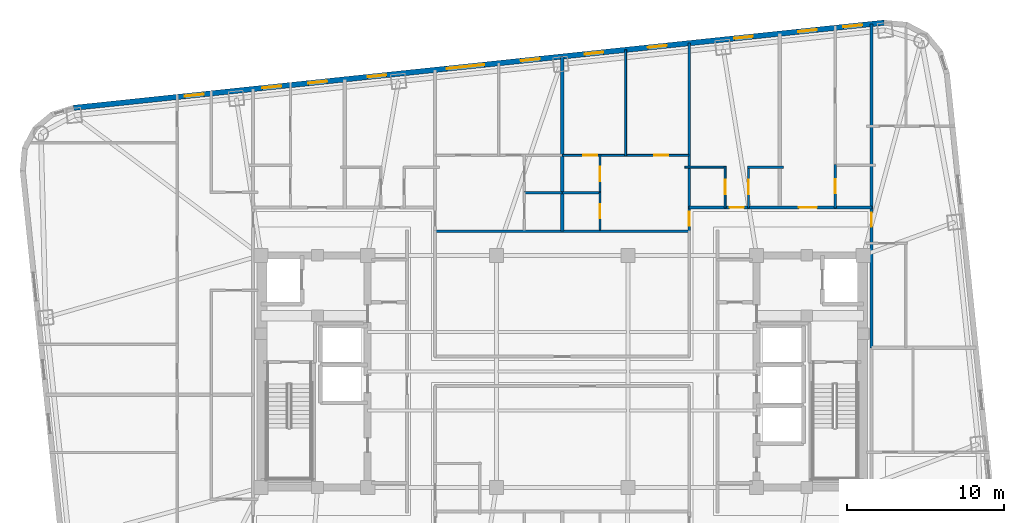
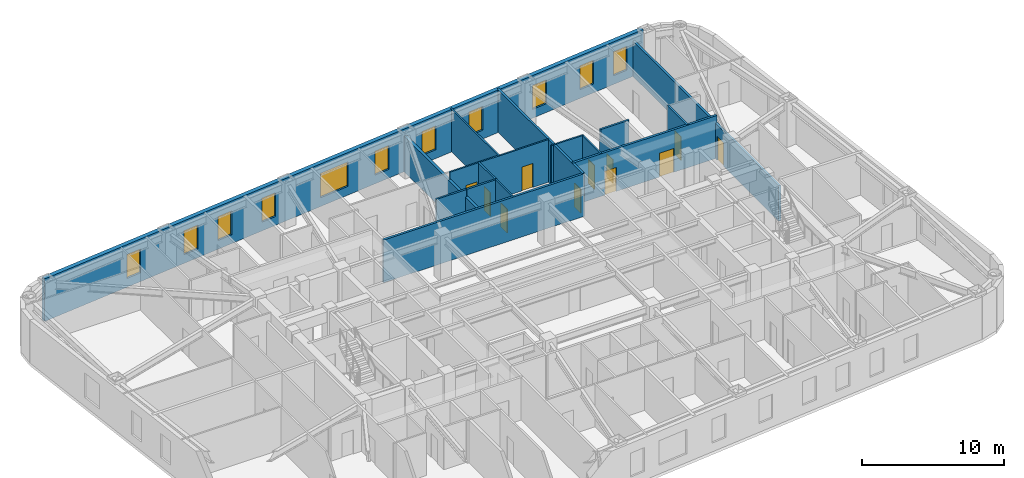
# One storey, part 8 of 12: 17 walls, 11 doors, 11 windows, 22 openings.
"""IFC4 building model written with IfcOpenShell, lengths in metres."""

from ifc_helpers import new_model, si_unit, direction, frame, frame_2d, origin, place, context, subcontext, project, spatial, rectangle, extrude, material, layer, layer_set, type_object, element, fill, save


model = new_model("IFC4")

# Units and contexts
model_context = context("Model", 3, precision=1e-05, world=origin(), true_north=direction((0.0, 1.0)))
body_context = subcontext(model_context, "Body", "Model", "MODEL_VIEW")
ifc_project = project(units=[si_unit("LENGTHUNIT", "METRE"), si_unit("AREAUNIT", "SQUARE_METRE"), si_unit("VOLUMEUNIT", "CUBIC_METRE"), si_unit("PLANEANGLEUNIT", "RADIAN"), si_unit("MASSUNIT", "GRAM", prefix="KILO")], contexts=[model_context])

# Site, building, storey
site_placement = place(None, origin())
site = spatial("IfcSite", under=ifc_project, at=site_placement, CompositionType="ELEMENT")
building_placement = place(site_placement, origin())
building = spatial("IfcBuilding", under=site, at=building_placement, Name="Voryun Gate Residences", CompositionType="ELEMENT")
storey_placement = place(building_placement, frame((0.0, 0.0, 159.89990234375)))
storey = spatial("IfcBuildingStorey", under=building, at=storey_placement, Name="L39", CompositionType="ELEMENT", Elevation=159.89990234375)

# Wall
ifc_material_1 = material(Name="Gypsum acoustic fireboard")
ifc_layer_1 = layer(ifc_material_1, 0.179931640625, Name="W_CORR_RATED_180")
ifc_layer_set_1 = layer_set([ifc_layer_1], Name="Gypsum acoustic fireboard")
wall_type_1 = type_object("IfcWallType", Name="W_CORR_RATED_180", PredefinedType="PARTITIONING", material=ifc_layer_set_1)
wall_1_placement = place(storey_placement, frame((-8.14990234375, 8.93994140625, 0.0), z_axis=(0.0, 0.0, 1.0), x_axis=(1.0, 0.0, 0.0)))
element("IfcWall", 1, at=wall_1_placement, inside=storey, type_object=wall_type_1, Name="Partition wall WP-L39-Z2N", PredefinedType="PARTITIONING", context=body_context, shape_type="SweptSolid", body=[
    extrude(rectangle(XDim=16.2998046875, YDim=0.179931640625, at=frame_2d((8.14990234375, 0.0))), origin(), (0.0, 0.0, 1.0), 3.650146484375),
])

# Wall, openings, doors
wall_2_placement = place(storey_placement, frame((8.080078125, 10.449951171875, 0.0), z_axis=(0.0, 0.0, 1.0), x_axis=(1.0, 0.0, 0.0)))
wall_2 = element("IfcWall", 2, at=wall_2_placement, inside=storey, type_object=wall_type_1, Name="Partition wall WP-L39-NCORR-E", PredefinedType="PARTITIONING", context=body_context, shape_type="SweptSolid", body=[
    extrude(rectangle(XDim=11.669921875, YDim=0.179931640625, at=frame_2d((5.8349609375, 0.0))), origin(), (0.0, 0.0, 1.0), 3.650146484375),
])
opening_1_placement = place(wall_2_placement, frame((2.60400390625, 0.0, 0.0)))
opening_1 = element("IfcOpeningElement", 3, at=opening_1_placement, cuts=wall_2, Name="Opening D-INT-2", PredefinedType="OPENING", context=body_context, shape_type="SweptSolid", body=[
    extrude(rectangle(XDim=0.89990234375, YDim=2.050048828125, at=frame_2d((0.449951171875, 1.02490234375))), frame((0.0, 0.099853515625, 0.0), z_axis=(0.0, -1.0, 0.0), x_axis=(1.0, 0.0, 0.0)), (0.0, 0.0, 1.0), 0.199951171875),
])
opening_2_placement = place(wall_2_placement, frame((7.016357421875, 0.0, 0.0)))
opening_2 = element("IfcOpeningElement", 4, at=opening_2_placement, cuts=wall_2, Name="Opening D-UNIT-1", PredefinedType="OPENING", context=body_context, shape_type="SweptSolid", body=[
    extrude(rectangle(XDim=1.14990234375, YDim=2.050048828125, at=frame_2d((0.574951171875, 1.02490234375))), frame((0.0, 0.099853515625, 0.0), z_axis=(0.0, -1.0, 0.0), x_axis=(1.0, 0.0, 0.0)), (0.0, 0.0, 1.0), 0.199951171875),
])
ifc_material_2 = material(Name="Architectural oak veneer")
door_type_1 = type_object("IfcDoorType", Name="DR_INT_BATH_900", OperationType="NOTDEFINED", PredefinedType="DOOR", material=ifc_material_2)
door_1_placement = place(opening_1_placement, origin())
door_1 = element("IfcDoor", 5, at=door_1_placement, inside=storey, type_object=door_type_1, Name="Door DR-L39-NENT-4", OperationType="SINGLE_SWING_RIGHT", OverallHeight=2.050048828125, OverallWidth=0.89990234375, PredefinedType="DOOR", context=body_context, shape_type="SweptSolid", body=[
    extrude(rectangle(XDim=0.89990234375, YDim=2.050048828125, at=frame_2d((0.449951171875, 1.02490234375))), frame((0.0, 0.02490234375, 0.0), z_axis=(0.0, -1.0, 0.0), x_axis=(1.0, 0.0, 0.0)), (0.0, 0.0, 1.0), 0.050048828125),
])
fill(opening_1, door_1)
ifc_material_3 = material(Name="Armoured timber-clad fire door", Category="wood")
door_type_2 = type_object("IfcDoorType", Name="DR_UNIT_ENTRY_1150", OperationType="NOTDEFINED", PredefinedType="DOOR", material=ifc_material_3)
door_2_placement = place(opening_2_placement, origin())
door_2 = element("IfcDoor", 6, at=door_2_placement, inside=storey, type_object=door_type_2, Name="Door DR-L39-NENT-5", OperationType="SINGLE_SWING_LEFT", OverallHeight=2.050048828125, OverallWidth=1.14990234375, PredefinedType="DOOR", context=body_context, shape_type="SweptSolid", body=[
    extrude(rectangle(XDim=1.14990234375, YDim=2.050048828125, at=frame_2d((0.574951171875, 1.02490234375))), frame((0.0, 0.02490234375, 0.0), z_axis=(0.0, -1.0, 0.0), x_axis=(1.0, 0.0, 0.0)), (0.0, 0.0, 1.0), 0.050048828125),
])
fill(opening_2, door_2)

# Wall, opening, door
wall_3_placement = place(storey_placement, frame((8.10009765625, 8.93994140625, 0.0), z_axis=(0.0, 0.0, 1.0), x_axis=(0.0, 1.0, 0.0)))
wall_3 = element("IfcWall", 7, at=wall_3_placement, inside=storey, type_object=wall_type_1, Name="Partition wall WP-L39-NZV-2", PredefinedType="PARTITIONING", context=body_context, shape_type="SweptSolid", body=[
    extrude(rectangle(XDim=11.9892578125, YDim=0.179931640625, at=frame_2d((5.99462890625, 0.0))), origin(), (0.0, 0.0, 1.0), 3.650146484375),
])
opening_3_placement = place(wall_3_placement, frame((0.349609375, 0.0, 0.0)))
opening_3 = element("IfcOpeningElement", 8, at=opening_3_placement, cuts=wall_3, Name="Opening D-INT-2", PredefinedType="OPENING", context=body_context, shape_type="SweptSolid", body=[
    extrude(rectangle(XDim=0.89990234375, YDim=2.050048828125, at=frame_2d((0.449951171875, 1.02490234375))), frame((0.0, 0.099853515625, 0.0), z_axis=(0.0, -1.0, 0.0), x_axis=(1.0, 0.0, 0.0)), (0.0, 0.0, 1.0), 0.199951171875),
])
door_3_placement = place(opening_3_placement, origin())
door_3 = element("IfcDoor", 9, at=door_3_placement, inside=storey, type_object=door_type_1, Name="Door DR-L39-NZENT-2", OperationType="SINGLE_SWING_RIGHT", OverallHeight=2.050048828125, OverallWidth=0.89990234375, PredefinedType="DOOR", context=body_context, shape_type="SweptSolid", body=[
    extrude(rectangle(XDim=0.89990234375, YDim=2.050048828125, at=frame_2d((0.449951171875, 1.02490234375))), frame((0.0, 0.02490234375, 0.0), z_axis=(0.0, -1.0, 0.0), x_axis=(1.0, 0.0, 0.0)), (0.0, 0.0, 1.0), 0.050048828125),
])
fill(opening_3, door_3)

wall_4_placement = place(storey_placement, frame((19.719970703125, 1.5, 0.0), z_axis=(0.0, 0.0, 1.0), x_axis=(0.0, 1.0, 0.0)))
wall_4 = element("IfcWall", 10, at=wall_4_placement, inside=storey, type_object=wall_type_1, Name="Partition wall WP-L39-ECOR2", PredefinedType="PARTITIONING", context=body_context, shape_type="SweptSolid", body=[
    extrude(rectangle(XDim=20.650390625, YDim=0.179931640625, at=frame_2d((10.3251953125, 0.0))), origin(), (0.0, 0.0, 1.0), 3.0400390625),
])
opening_4_placement = place(wall_4_placement, frame((7.7294921875, 0.0, 0.0)))
opening_4 = element("IfcOpeningElement", 11, at=opening_4_placement, cuts=wall_4, Name="Opening D-INT-2", PredefinedType="OPENING", context=body_context, shape_type="SweptSolid", body=[
    extrude(rectangle(XDim=0.89990234375, YDim=2.050048828125, at=frame_2d((0.449951171875, 1.02490234375))), frame((0.0, 0.099853515625, 0.0), z_axis=(0.0, -1.0, 0.0), x_axis=(1.0, 0.0, 0.0)), (0.0, 0.0, 1.0), 0.199951171875),
])
door_4_placement = place(opening_4_placement, origin())
door_4 = element("IfcDoor", 12, at=door_4_placement, inside=storey, type_object=door_type_1, Name="Door DR-L39-EE2", OperationType="SINGLE_SWING_RIGHT", OverallHeight=2.050048828125, OverallWidth=0.89990234375, PredefinedType="DOOR", context=body_context, shape_type="SweptSolid", body=[
    extrude(rectangle(XDim=0.89990234375, YDim=2.050048828125, at=frame_2d((0.449951171875, 1.02490234375))), frame((0.0, 0.02490234375, 0.0), z_axis=(0.0, -1.0, 0.0), x_axis=(1.0, 0.0, 0.0)), (0.0, 0.0, 1.0), 0.050048828125),
])
fill(opening_4, door_4)

# Wall, openings, windows
ifc_material_4 = material(Name="Charcoal terracotta masonry", Category="masonry")
ifc_layer_2 = layer(ifc_material_4, 0.340087890625, Name="W_EXT_TERRACOTTA_340")
ifc_layer_set_2 = layer_set([ifc_layer_2], Name="Charcoal terracotta masonry")
wall_type_2 = type_object("IfcWallType", Name="W_EXT_TERRACOTTA_340", PredefinedType="ELEMENTEDWALL", material=ifc_layer_set_2)
wall_5_placement = place(storey_placement, frame((-31.155517578125, 16.80322265625, 0.0), z_axis=(0.0, 0.0, 1.0), x_axis=(0.99452209583, 0.104526555986, 0.0)))
wall_5 = element("IfcWall", 13, at=wall_5_placement, inside=storey, type_object=wall_type_2, Name="Exterior wall WEXT-L39-11", PredefinedType="ELEMENTEDWALL", context=body_context, shape_type="SweptSolid", body=[
    extrude(rectangle(XDim=51.966552734375, YDim=0.340087890625, at=frame_2d((25.9833984375, 0.0))), origin(), (0.0, 0.0, 1.0), 3.650146484375),
])
opening_5_placement = place(wall_5_placement, frame((23.93310546875, 0.0, 0.75)))
opening_5 = element("IfcOpeningElement", 14, at=opening_5_placement, cuts=wall_5, Name="Opening WN2", PredefinedType="OPENING", context=body_context, shape_type="SweptSolid", body=[
    extrude(rectangle(XDim=2.39990234375, YDim=2.10009765625, at=frame_2d((1.199951171875, 1.050048828125))), frame((0.0, 0.179931640625, 0.0), z_axis=(0.0, -1.0, 0.0), x_axis=(1.0, 0.0, 0.0)), (0.0, 0.0, 1.0), 0.360107421875),
])
opening_6_placement = place(wall_5_placement, frame((15.04638671875, 0.0, 0.75)))
opening_6 = element("IfcOpeningElement", 15, at=opening_6_placement, cuts=wall_5, Name="Opening WN6", PredefinedType="OPENING", context=body_context, shape_type="SweptSolid", body=[
    extrude(rectangle(XDim=1.199951171875, YDim=2.050048828125, at=frame_2d((0.60009765625, 1.02490234375))), frame((0.0, 0.179931640625, 0.0), z_axis=(0.0, -1.0, 0.0), x_axis=(1.0, 0.0, 0.0)), (0.0, 0.0, 1.0), 0.360107421875),
])
opening_7_placement = place(wall_5_placement, frame((12.10791015625, 0.0, 0.75)))
opening_7 = element("IfcOpeningElement", 16, at=opening_7_placement, cuts=wall_5, Name="Opening WN6", PredefinedType="OPENING", context=body_context, shape_type="SweptSolid", body=[
    extrude(rectangle(XDim=1.199951171875, YDim=2.050048828125, at=frame_2d((0.60009765625, 1.02490234375))), frame((0.0, 0.179931640625, 0.0), z_axis=(0.0, -1.0, 0.0), x_axis=(1.0, 0.0, 0.0)), (0.0, 0.0, 1.0), 0.360107421875),
])
opening_8_placement = place(wall_5_placement, frame((18.851806640625, 0.0, 0.75)))
opening_8 = element("IfcOpeningElement", 17, at=opening_8_placement, cuts=wall_5, Name="Opening WN6", PredefinedType="OPENING", context=body_context, shape_type="SweptSolid", body=[
    extrude(rectangle(XDim=1.199951171875, YDim=2.050048828125, at=frame_2d((0.60009765625, 1.02490234375))), frame((0.0, 0.179931640625, 0.0), z_axis=(0.0, -1.0, 0.0), x_axis=(1.0, 0.0, 0.0)), (0.0, 0.0, 1.0), 0.360107421875),
])
opening_9_placement = place(wall_5_placement, frame((42.35791015625, 0.0, 0.75)))
opening_9 = element("IfcOpeningElement", 18, at=opening_9_placement, cuts=wall_5, Name="Opening WN6", PredefinedType="OPENING", context=body_context, shape_type="SweptSolid", body=[
    extrude(rectangle(XDim=1.199951171875, YDim=2.050048828125, at=frame_2d((0.60009765625, 1.02490234375))), frame((0.0, 0.179931640625, 0.0), z_axis=(0.0, -1.0, 0.0), x_axis=(1.0, 0.0, 0.0)), (0.0, 0.0, 1.0), 0.360107421875),
])
opening_10_placement = place(wall_5_placement, frame((46.451904296875, 0.0, 0.75)))
opening_10 = element("IfcOpeningElement", 19, at=opening_10_placement, cuts=wall_5, Name="Opening WN6", PredefinedType="OPENING", context=body_context, shape_type="SweptSolid", body=[
    extrude(rectangle(XDim=1.199951171875, YDim=2.050048828125, at=frame_2d((0.60009765625, 1.02490234375))), frame((0.0, 0.179931640625, 0.0), z_axis=(0.0, -1.0, 0.0), x_axis=(1.0, 0.0, 0.0)), (0.0, 0.0, 1.0), 0.360107421875),
])
opening_11_placement = place(wall_5_placement, frame((49.355712890625, 0.0, 0.75)))
opening_11 = element("IfcOpeningElement", 20, at=opening_11_placement, cuts=wall_5, Name="Opening WN6", PredefinedType="OPENING", context=body_context, shape_type="SweptSolid", body=[
    extrude(rectangle(XDim=1.199951171875, YDim=2.050048828125, at=frame_2d((0.60009765625, 1.02490234375))), frame((0.0, 0.179931640625, 0.0), z_axis=(0.0, -1.0, 0.0), x_axis=(1.0, 0.0, 0.0)), (0.0, 0.0, 1.0), 0.360107421875),
])
opening_12_placement = place(wall_5_placement, frame((28.68359375, 0.0, 0.75)))
opening_12 = element("IfcOpeningElement", 21, at=opening_12_placement, cuts=wall_5, Name="Opening WN6", PredefinedType="OPENING", context=body_context, shape_type="SweptSolid", body=[
    extrude(rectangle(XDim=1.199951171875, YDim=2.050048828125, at=frame_2d((0.60009765625, 1.02490234375))), frame((0.0, 0.179931640625, 0.0), z_axis=(0.0, -1.0, 0.0), x_axis=(1.0, 0.0, 0.0)), (0.0, 0.0, 1.0), 0.360107421875),
])
opening_13_placement = place(wall_5_placement, frame((32.76611328125, 0.0, 0.75)))
opening_13 = element("IfcOpeningElement", 22, at=opening_13_placement, cuts=wall_5, Name="Opening WN6", PredefinedType="OPENING", context=body_context, shape_type="SweptSolid", body=[
    extrude(rectangle(XDim=1.199951171875, YDim=2.050048828125, at=frame_2d((0.60009765625, 1.02490234375))), frame((0.0, 0.179931640625, 0.0), z_axis=(0.0, -1.0, 0.0), x_axis=(1.0, 0.0, 0.0)), (0.0, 0.0, 1.0), 0.360107421875),
])
opening_14_placement = place(wall_5_placement, frame((36.828369140625, 0.0, 0.75)))
opening_14 = element("IfcOpeningElement", 23, at=opening_14_placement, cuts=wall_5, Name="Opening WN6", PredefinedType="OPENING", context=body_context, shape_type="SweptSolid", body=[
    extrude(rectangle(XDim=1.199951171875, YDim=2.050048828125, at=frame_2d((0.60009765625, 1.02490234375))), frame((0.0, 0.179931640625, 0.0), z_axis=(0.0, -1.0, 0.0), x_axis=(1.0, 0.0, 0.0)), (0.0, 0.0, 1.0), 0.360107421875),
])
opening_15_placement = place(wall_5_placement, frame((7.135498046875, 0.0, 0.75)))
opening_15 = element("IfcOpeningElement", 24, at=opening_15_placement, cuts=wall_5, Name="Opening WN6", PredefinedType="OPENING", context=body_context, shape_type="SweptSolid", body=[
    extrude(rectangle(XDim=1.199951171875, YDim=2.050048828125, at=frame_2d((0.60009765625, 1.02490234375))), frame((0.0, 0.179931640625, 0.0), z_axis=(0.0, -1.0, 0.0), x_axis=(1.0, 0.0, 0.0)), (0.0, 0.0, 1.0), 0.360107421875),
])
ifc_material_5 = material(Name="Laminated low-E glass", Category="glass")
window_type_1 = type_object("IfcWindowType", Name="WN_POD_SLOT_1200", PartitioningType="SINGLE_PANEL", PredefinedType="WINDOW", material=ifc_material_5)
window_1_placement = place(opening_6_placement, origin())
window_1 = element("IfcWindow", 25, at=window_1_placement, inside=storey, type_object=window_type_1, Name="Window WN-L39-DWFIX-01", OverallHeight=2.050048828125, OverallWidth=1.199951171875, PartitioningType="SINGLE_PANEL", PredefinedType="WINDOW", context=body_context, shape_type="SweptSolid", body=[
    extrude(rectangle(XDim=1.199951171875, YDim=2.050048828125, at=frame_2d((0.60009765625, 1.02490234375))), frame((0.0, 0.030029296875, 0.0), z_axis=(0.0, -1.0, 0.0), x_axis=(1.0, 0.0, 0.0)), (0.0, 0.0, 1.0), 0.06005859375),
])
fill(opening_6, window_1)
window_2_placement = place(opening_7_placement, origin())
window_2 = element("IfcWindow", 26, at=window_2_placement, inside=storey, type_object=window_type_1, Name="Window WN-L39-DWFIX-02", OverallHeight=2.050048828125, OverallWidth=1.199951171875, PartitioningType="SINGLE_PANEL", PredefinedType="WINDOW", context=body_context, shape_type="SweptSolid", body=[
    extrude(rectangle(XDim=1.199951171875, YDim=2.050048828125, at=frame_2d((0.60009765625, 1.02490234375))), frame((0.0, 0.030029296875, 0.0), z_axis=(0.0, -1.0, 0.0), x_axis=(1.0, 0.0, 0.0)), (0.0, 0.0, 1.0), 0.06005859375),
])
fill(opening_7, window_2)
window_3_placement = place(opening_8_placement, origin())
window_3 = element("IfcWindow", 27, at=window_3_placement, inside=storey, type_object=window_type_1, Name="Window WN-L39-DWFIX-03", OverallHeight=2.050048828125, OverallWidth=1.199951171875, PartitioningType="SINGLE_PANEL", PredefinedType="WINDOW", context=body_context, shape_type="SweptSolid", body=[
    extrude(rectangle(XDim=1.199951171875, YDim=2.050048828125, at=frame_2d((0.60009765625, 1.02490234375))), frame((0.0, 0.030029296875, 0.0), z_axis=(0.0, -1.0, 0.0), x_axis=(1.0, 0.0, 0.0)), (0.0, 0.0, 1.0), 0.06005859375),
])
fill(opening_8, window_3)
window_4_placement = place(opening_9_placement, origin())
window_4 = element("IfcWindow", 28, at=window_4_placement, inside=storey, type_object=window_type_1, Name="Window WN-L39-DWFIX-04", OverallHeight=2.050048828125, OverallWidth=1.199951171875, PartitioningType="SINGLE_PANEL", PredefinedType="WINDOW", context=body_context, shape_type="SweptSolid", body=[
    extrude(rectangle(XDim=1.199951171875, YDim=2.050048828125, at=frame_2d((0.60009765625, 1.02490234375))), frame((0.0, 0.030029296875, 0.0), z_axis=(0.0, -1.0, 0.0), x_axis=(1.0, 0.0, 0.0)), (0.0, 0.0, 1.0), 0.06005859375),
])
fill(opening_9, window_4)
window_5_placement = place(opening_10_placement, origin())
window_5 = element("IfcWindow", 29, at=window_5_placement, inside=storey, type_object=window_type_1, Name="Window WN-L39-DWFIX-05", OverallHeight=2.050048828125, OverallWidth=1.199951171875, PartitioningType="SINGLE_PANEL", PredefinedType="WINDOW", context=body_context, shape_type="SweptSolid", body=[
    extrude(rectangle(XDim=1.199951171875, YDim=2.050048828125, at=frame_2d((0.60009765625, 1.02490234375))), frame((0.0, 0.030029296875, 0.0), z_axis=(0.0, -1.0, 0.0), x_axis=(1.0, 0.0, 0.0)), (0.0, 0.0, 1.0), 0.06005859375),
])
fill(opening_10, window_5)
window_6_placement = place(opening_11_placement, origin())
window_6 = element("IfcWindow", 30, at=window_6_placement, inside=storey, type_object=window_type_1, Name="Window WN-L39-DWFIX-06", OverallHeight=2.050048828125, OverallWidth=1.199951171875, PartitioningType="SINGLE_PANEL", PredefinedType="WINDOW", context=body_context, shape_type="SweptSolid", body=[
    extrude(rectangle(XDim=1.199951171875, YDim=2.050048828125, at=frame_2d((0.60009765625, 1.02490234375))), frame((0.0, 0.030029296875, 0.0), z_axis=(0.0, -1.0, 0.0), x_axis=(1.0, 0.0, 0.0)), (0.0, 0.0, 1.0), 0.06005859375),
])
fill(opening_11, window_6)
window_7_placement = place(opening_12_placement, origin())
window_7 = element("IfcWindow", 31, at=window_7_placement, inside=storey, type_object=window_type_1, Name="Window WN-L39-DWFIX-07", OverallHeight=2.050048828125, OverallWidth=1.199951171875, PartitioningType="SINGLE_PANEL", PredefinedType="WINDOW", context=body_context, shape_type="SweptSolid", body=[
    extrude(rectangle(XDim=1.199951171875, YDim=2.050048828125, at=frame_2d((0.60009765625, 1.02490234375))), frame((0.0, 0.030029296875, 0.0), z_axis=(0.0, -1.0, 0.0), x_axis=(1.0, 0.0, 0.0)), (0.0, 0.0, 1.0), 0.06005859375),
])
fill(opening_12, window_7)
window_8_placement = place(opening_13_placement, origin())
window_8 = element("IfcWindow", 32, at=window_8_placement, inside=storey, type_object=window_type_1, Name="Window WN-L39-DWFIX-08", OverallHeight=2.050048828125, OverallWidth=1.199951171875, PartitioningType="SINGLE_PANEL", PredefinedType="WINDOW", context=body_context, shape_type="SweptSolid", body=[
    extrude(rectangle(XDim=1.199951171875, YDim=2.050048828125, at=frame_2d((0.60009765625, 1.02490234375))), frame((0.0, 0.030029296875, 0.0), z_axis=(0.0, -1.0, 0.0), x_axis=(1.0, 0.0, 0.0)), (0.0, 0.0, 1.0), 0.06005859375),
])
fill(opening_13, window_8)
window_9_placement = place(opening_14_placement, origin())
window_9 = element("IfcWindow", 33, at=window_9_placement, inside=storey, type_object=window_type_1, Name="Window WN-L39-DWFIX-09", OverallHeight=2.050048828125, OverallWidth=1.199951171875, PartitioningType="SINGLE_PANEL", PredefinedType="WINDOW", context=body_context, shape_type="SweptSolid", body=[
    extrude(rectangle(XDim=1.199951171875, YDim=2.050048828125, at=frame_2d((0.60009765625, 1.02490234375))), frame((0.0, 0.030029296875, 0.0), z_axis=(0.0, -1.0, 0.0), x_axis=(1.0, 0.0, 0.0)), (0.0, 0.0, 1.0), 0.06005859375),
])
fill(opening_14, window_9)
window_10_placement = place(opening_15_placement, origin())
window_10 = element("IfcWindow", 34, at=window_10_placement, inside=storey, type_object=window_type_1, Name="Window WN-L39-DWFIX-23", OverallHeight=2.050048828125, OverallWidth=1.199951171875, PartitioningType="SINGLE_PANEL", PredefinedType="WINDOW", context=body_context, shape_type="SweptSolid", body=[
    extrude(rectangle(XDim=1.199951171875, YDim=2.050048828125, at=frame_2d((0.60009765625, 1.02490234375))), frame((0.0, 0.030029296875, 0.0), z_axis=(0.0, -1.0, 0.0), x_axis=(1.0, 0.0, 0.0)), (0.0, 0.0, 1.0), 0.06005859375),
])
fill(opening_15, window_10)
ifc_material_6 = material(Name="Laminated low-E glass", Category="glass")
window_type_2 = type_object("IfcWindowType", Name="WN_RES_WIDE_2400", PartitioningType="SINGLE_PANEL", PredefinedType="WINDOW", material=ifc_material_6)
window_11_placement = place(opening_5_placement, origin())
window_11 = element("IfcWindow", 35, at=window_11_placement, inside=storey, type_object=window_type_2, Name="Window WN-WEXT-L39-11-02", OverallHeight=2.10009765625, OverallWidth=2.39990234375, PartitioningType="SINGLE_PANEL", PredefinedType="WINDOW", context=body_context, shape_type="SweptSolid", body=[
    extrude(rectangle(XDim=2.39990234375, YDim=2.10009765625, at=frame_2d((1.199951171875, 1.050048828125))), frame((0.0, 0.030029296875, 0.0), z_axis=(0.0, -1.0, 0.0), x_axis=(1.0, 0.0, 0.0)), (0.0, 0.0, 1.0), 0.06005859375),
])
fill(opening_5, window_11)

# Wall
ifc_material_7 = material(Name="Concrete C40/50", Category="concrete")
ifc_layer_3 = layer(ifc_material_7, 0.219970703125, Name="W_PARTY_ACOUSTIC_220")
ifc_layer_set_3 = layer_set([ifc_layer_3], Name="Concrete C40/50")
wall_type_3 = type_object("IfcWallType", Name="W_PARTY_ACOUSTIC_220", PredefinedType="PARTITIONING", material=ifc_layer_set_3)
wall_6_placement = place(storey_placement, frame((0.0, 8.93994140625, 0.0), z_axis=(0.0, 0.0, 1.0), x_axis=(0.0, 1.0, 0.0)))
element("IfcWall", 36, at=wall_6_placement, inside=storey, type_object=wall_type_3, Name="Partition wall WP-L39-NZMID", PredefinedType="PARTITIONING", context=body_context, shape_type="SweptSolid", body=[
    extrude(rectangle(XDim=11.137939453125, YDim=0.219970703125, at=frame_2d((5.56884765625, 0.0))), origin(), (0.0, 0.0, 1.0), 3.0400390625),
])

# Wall, opening, door
ifc_material_8 = material(Name="Gypsum acoustic partition")
ifc_layer_4 = layer(ifc_material_8, 0.125, Name="W_UNIT_PART_125")
ifc_layer_set_4 = layer_set([ifc_layer_4], Name="Gypsum acoustic partition")
wall_type_4 = type_object("IfcWallType", Name="W_UNIT_PART_125", PredefinedType="PARTITIONING", material=ifc_layer_set_4)
wall_7_placement = place(storey_placement, frame((10.389892578125, 10.429931640625, 0.0), z_axis=(0.0, 0.0, 1.0), x_axis=(0.0, 1.0, 0.0)))
wall_7 = element("IfcWall", 37, at=wall_7_placement, inside=storey, type_object=wall_type_4, Name="Partition wall WP-L39-N4-CVK", PredefinedType="PARTITIONING", context=body_context, shape_type="SweptSolid", body=[
    extrude(rectangle(XDim=2.650146484375, YDim=0.125, at=frame_2d((1.3251953125, 0.0))), origin(), (0.0, 0.0, 1.0), 3.650146484375),
])
opening_16_placement = place(wall_7_placement, frame((0.875, 0.0, 0.0)))
opening_16 = element("IfcOpeningElement", 38, at=opening_16_placement, cuts=wall_7, Name="Opening D-INT-2", PredefinedType="OPENING", context=body_context, shape_type="SweptSolid", body=[
    extrude(rectangle(XDim=0.89990234375, YDim=2.050048828125, at=frame_2d((0.449951171875, 1.02490234375))), frame((0.0, 0.072509765625, 0.0), z_axis=(0.0, -1.0, 0.0), x_axis=(1.0, 0.0, 0.0)), (0.0, 0.0, 1.0), 0.14501953125),
])
door_5_placement = place(opening_16_placement, origin())
door_5 = element("IfcDoor", 39, at=door_5_placement, inside=storey, type_object=door_type_1, Name="Door DR-L39-N4-DK", OperationType="SINGLE_SWING_LEFT", OverallHeight=2.050048828125, OverallWidth=0.89990234375, PredefinedType="DOOR", context=body_context, shape_type="SweptSolid", body=[
    extrude(rectangle(XDim=0.89990234375, YDim=2.050048828125, at=frame_2d((0.449951171875, 1.02490234375))), frame((0.0, 0.02490234375, 0.0), z_axis=(0.0, -1.0, 0.0), x_axis=(1.0, 0.0, 0.0)), (0.0, 0.0, 1.0), 0.050048828125),
])
fill(opening_16, door_5)

# Wall
wall_8_placement = place(storey_placement, frame((7.820068359375, 13.02001953125, 0.0), z_axis=(0.0, 0.0, 1.0), x_axis=(1.0, 0.0, 0.0)))
element("IfcWall", 40, at=wall_8_placement, inside=storey, type_object=wall_type_4, Name="Partition wall WP-L39-N4-CHK", PredefinedType="PARTITIONING", context=body_context, shape_type="SweptSolid", body=[
    extrude(rectangle(XDim=2.6298828125, YDim=0.125, at=frame_2d((1.31494140625, 0.0))), origin(), (0.0, 0.0, 1.0), 3.650146484375),
])

# Wall, openings, doors
wall_9_placement = place(storey_placement, frame((0.02001953125, 13.780029296875, 0.0), z_axis=(0.0, 0.0, 1.0), x_axis=(1.0, 0.0, 0.0)))
wall_9 = element("IfcWall", 41, at=wall_9_placement, inside=storey, type_object=wall_type_4, Name="Partition wall WP-L39-NC2-HZ", PredefinedType="PARTITIONING", context=body_context, shape_type="SweptSolid", body=[
    extrude(rectangle(XDim=8.06005859375, YDim=0.125, at=frame_2d((4.030029296875, 0.0))), origin(), (0.0, 0.0, 1.0), 3.650146484375),
])
opening_17_placement = place(wall_9_placement, frame((1.3232421875, 0.0, 0.0)))
opening_17 = element("IfcOpeningElement", 42, at=opening_17_placement, cuts=wall_9, Name="Opening D-INT-2", PredefinedType="OPENING", context=body_context, shape_type="SweptSolid", body=[
    extrude(rectangle(XDim=0.89990234375, YDim=2.050048828125, at=frame_2d((0.449951171875, 1.02490234375))), frame((0.0, 0.072509765625, 0.0), z_axis=(0.0, -1.0, 0.0), x_axis=(1.0, 0.0, 0.0)), (0.0, 0.0, 1.0), 0.14501953125),
])
opening_18_placement = place(wall_9_placement, frame((5.8369140625, 0.0, 0.0)))
opening_18 = element("IfcOpeningElement", 43, at=opening_18_placement, cuts=wall_9, Name="Opening D-INT-2", PredefinedType="OPENING", context=body_context, shape_type="SweptSolid", body=[
    extrude(rectangle(XDim=0.89990234375, YDim=2.050048828125, at=frame_2d((0.449951171875, 1.02490234375))), frame((0.0, 0.072509765625, 0.0), z_axis=(0.0, -1.0, 0.0), x_axis=(1.0, 0.0, 0.0)), (0.0, 0.0, 1.0), 0.14501953125),
])
door_6_placement = place(opening_17_placement, origin())
door_6 = element("IfcDoor", 44, at=door_6_placement, inside=storey, type_object=door_type_1, Name="Door DR-L39-NC2-DMB", OperationType="SINGLE_SWING_LEFT", OverallHeight=2.050048828125, OverallWidth=0.89990234375, PredefinedType="DOOR", context=body_context, shape_type="SweptSolid", body=[
    extrude(rectangle(XDim=0.89990234375, YDim=2.050048828125, at=frame_2d((0.449951171875, 1.02490234375))), frame((0.0, 0.02490234375, 0.0), z_axis=(0.0, -1.0, 0.0), x_axis=(1.0, 0.0, 0.0)), (0.0, 0.0, 1.0), 0.050048828125),
])
fill(opening_17, door_6)
door_7_placement = place(opening_18_placement, origin())
door_7 = element("IfcDoor", 45, at=door_7_placement, inside=storey, type_object=door_type_1, Name="Door DR-L39-NC2-DBD2", OperationType="SINGLE_SWING_RIGHT", OverallHeight=2.050048828125, OverallWidth=0.89990234375, PredefinedType="DOOR", context=body_context, shape_type="SweptSolid", body=[
    extrude(rectangle(XDim=0.89990234375, YDim=2.050048828125, at=frame_2d((0.449951171875, 1.02490234375))), frame((0.0, 0.02490234375, 0.0), z_axis=(0.0, -1.0, 0.0), x_axis=(1.0, 0.0, 0.0)), (0.0, 0.0, 1.0), 0.050048828125),
])
fill(opening_18, door_7)

# Wall, opening, door
wall_10_placement = place(storey_placement, frame((2.409912109375, 9.0, 0.0), z_axis=(0.0, 0.0, 1.0), x_axis=(0.0, 1.0, 0.0)))
wall_10 = element("IfcWall", 46, at=wall_10_placement, inside=storey, type_object=wall_type_4, Name="Partition wall WP-L39-NC2-VK1", PredefinedType="PARTITIONING", context=body_context, shape_type="SweptSolid", body=[
    extrude(rectangle(XDim=2.409912109375, YDim=0.125, at=frame_2d((1.205078125, 0.0))), origin(), (0.0, 0.0, 1.0), 3.650146484375),
])
opening_19_placement = place(wall_10_placement, frame((0.7548828125, 0.0, 0.0)))
opening_19 = element("IfcOpeningElement", 47, at=opening_19_placement, cuts=wall_10, Name="Opening D-INT-2", PredefinedType="OPENING", context=body_context, shape_type="SweptSolid", body=[
    extrude(rectangle(XDim=0.89990234375, YDim=2.050048828125, at=frame_2d((0.449951171875, 1.02490234375))), frame((0.0, 0.072509765625, 0.0), z_axis=(0.0, -1.0, 0.0), x_axis=(1.0, 0.0, 0.0)), (0.0, 0.0, 1.0), 0.14501953125),
])
door_8_placement = place(opening_19_placement, origin())
door_8 = element("IfcDoor", 48, at=door_8_placement, inside=storey, type_object=door_type_1, Name="Door DR-L39-NC2-DK", OperationType="SINGLE_SWING_LEFT", OverallHeight=2.050048828125, OverallWidth=0.89990234375, PredefinedType="DOOR", context=body_context, shape_type="SweptSolid", body=[
    extrude(rectangle(XDim=0.89990234375, YDim=2.050048828125, at=frame_2d((0.449951171875, 1.02490234375))), frame((0.0, 0.02490234375, 0.0), z_axis=(0.0, -1.0, 0.0), x_axis=(1.0, 0.0, 0.0)), (0.0, 0.0, 1.0), 0.050048828125),
])
fill(opening_19, door_8)

# Wall
wall_11_placement = place(storey_placement, frame((4.050048828125, 13.739990234375, 0.0), z_axis=(0.0, 0.0, 1.0), x_axis=(0.0, 1.0, 0.0)))
element("IfcWall", 49, at=wall_11_placement, inside=storey, type_object=wall_type_4, Name="Partition wall WP-L39-NC2-VBD", PredefinedType="PARTITIONING", context=body_context, shape_type="SweptSolid", body=[
    extrude(rectangle(XDim=6.763427734375, YDim=0.125, at=frame_2d((3.3818359375, 0.0))), origin(), (0.0, 0.0, 1.0), 3.650146484375),
])

# Wall, opening, door
ifc_material_9 = material(Name="Gypsum moisture-resistant partition")
ifc_layer_5 = layer(ifc_material_9, 0.14990234375, Name="W_WET_PLUMB_150")
ifc_layer_set_5 = layer_set([ifc_layer_5], Name="Gypsum moisture-resistant partition")
wall_type_5 = type_object("IfcWallType", Name="W_WET_PLUMB_150", PredefinedType="PLUMBINGWALL", material=ifc_layer_set_5)
wall_12_placement = place(storey_placement, frame((11.87890625, 10.429931640625, 0.0), z_axis=(0.0, 0.0, 1.0), x_axis=(0.0, 1.0, 0.0)))
wall_12 = element("IfcWall", 50, at=wall_12_placement, inside=storey, type_object=wall_type_5, Name="Partition wall WP-L39-N4-CVB", PredefinedType="PLUMBINGWALL", context=body_context, shape_type="SweptSolid", body=[
    extrude(rectangle(XDim=2.650146484375, YDim=0.14990234375, at=frame_2d((1.3251953125, 0.0))), origin(), (0.0, 0.0, 1.0), 3.0400390625),
])
opening_20_placement = place(wall_12_placement, frame((0.875, 0.0, 0.0)))
opening_20 = element("IfcOpeningElement", 51, at=opening_20_placement, cuts=wall_12, Name="Opening D-INT-2", PredefinedType="OPENING", context=body_context, shape_type="SweptSolid", body=[
    extrude(rectangle(XDim=0.89990234375, YDim=2.050048828125, at=frame_2d((0.449951171875, 1.02490234375))), frame((0.0, 0.0849609375, 0.0), z_axis=(0.0, -1.0, 0.0), x_axis=(1.0, 0.0, 0.0)), (0.0, 0.0, 1.0), 0.169921875),
])
door_9_placement = place(opening_20_placement, origin())
door_9 = element("IfcDoor", 52, at=door_9_placement, inside=storey, type_object=door_type_1, Name="Door DR-L39-N4-DB", OperationType="SINGLE_SWING_RIGHT", OverallHeight=2.050048828125, OverallWidth=0.89990234375, PredefinedType="DOOR", context=body_context, shape_type="SweptSolid", body=[
    extrude(rectangle(XDim=0.89990234375, YDim=2.050048828125, at=frame_2d((0.449951171875, 1.02490234375))), frame((0.0, 0.02490234375, 0.0), z_axis=(0.0, -1.0, 0.0), x_axis=(1.0, 0.0, 0.0)), (0.0, 0.0, 1.0), 0.050048828125),
])
fill(opening_20, door_9)

# Wall
wall_13_placement = place(storey_placement, frame((11.819091796875, 13.02001953125, 0.0), z_axis=(0.0, 0.0, 1.0), x_axis=(1.0, 0.0, 0.0)))
element("IfcWall", 53, at=wall_13_placement, inside=storey, type_object=wall_type_5, Name="Partition wall WP-L39-N4-CHB", PredefinedType="PLUMBINGWALL", context=body_context, shape_type="SweptSolid", body=[
    extrude(rectangle(XDim=2.305908203125, YDim=0.14990234375, at=frame_2d((1.15283203125, 0.0))), origin(), (0.0, 0.0, 1.0), 3.650146484375),
])

# Wall, opening, door
wall_14_placement = place(storey_placement, frame((17.4169921875, 10.429931640625, 0.0), z_axis=(0.0, 0.0, 1.0), x_axis=(0.0, 1.0, 0.0)))
wall_14 = element("IfcWall", 54, at=wall_14_placement, inside=storey, type_object=wall_type_5, Name="Partition wall WP-L39-N5-SVT1", PredefinedType="PLUMBINGWALL", context=body_context, shape_type="SweptSolid", body=[
    extrude(rectangle(XDim=2.760009765625, YDim=0.14990234375, at=frame_2d((1.3798828125, 0.0))), origin(), (0.0, 0.0, 1.0), 3.650146484375),
])
opening_21_placement = place(wall_14_placement, frame((0.929931640625, 0.0, 0.0)))
opening_21 = element("IfcOpeningElement", 55, at=opening_21_placement, cuts=wall_14, Name="Opening D-INT-2", PredefinedType="OPENING", context=body_context, shape_type="SweptSolid", body=[
    extrude(rectangle(XDim=0.89990234375, YDim=2.050048828125, at=frame_2d((0.449951171875, 1.02490234375))), frame((0.0, 0.0849609375, 0.0), z_axis=(0.0, -1.0, 0.0), x_axis=(1.0, 0.0, 0.0)), (0.0, 0.0, 1.0), 0.169921875),
])
door_10_placement = place(opening_21_placement, origin())
door_10 = element("IfcDoor", 56, at=door_10_placement, inside=storey, type_object=door_type_1, Name="Door DR-L39-N5-DB", OperationType="SINGLE_SWING_LEFT", OverallHeight=2.050048828125, OverallWidth=0.89990234375, PredefinedType="DOOR", context=body_context, shape_type="SweptSolid", body=[
    extrude(rectangle(XDim=0.89990234375, YDim=2.050048828125, at=frame_2d((0.449951171875, 1.02490234375))), frame((0.0, 0.02490234375, 0.0), z_axis=(0.0, -1.0, 0.0), x_axis=(1.0, 0.0, 0.0)), (0.0, 0.0, 1.0), 0.050048828125),
])
fill(opening_21, door_10)

# Wall
wall_15_placement = place(storey_placement, frame((-2.449951171875, 11.3798828125, 0.0), z_axis=(0.0, 0.0, 1.0), x_axis=(1.0, 0.0, 0.0)))
element("IfcWall", 57, at=wall_15_placement, inside=storey, type_object=wall_type_5, Name="Partition wall WP-L39-NC1-HKB", PredefinedType="PLUMBINGWALL", context=body_context, shape_type="SweptSolid", body=[
    extrude(rectangle(XDim=2.429931640625, YDim=0.14990234375, at=frame_2d((1.21484375, 0.0))), origin(), (0.0, 0.0, 1.0), 3.650146484375),
])

# Wall, opening, door
wall_16_placement = place(storey_placement, frame((2.409912109375, 11.35009765625, 0.0), z_axis=(0.0, 0.0, 1.0), x_axis=(0.0, 1.0, 0.0)))
wall_16 = element("IfcWall", 58, at=wall_16_placement, inside=storey, type_object=wall_type_5, Name="Partition wall WP-L39-NC2-VK2", PredefinedType="PLUMBINGWALL", context=body_context, shape_type="SweptSolid", body=[
    extrude(rectangle(XDim=2.469970703125, YDim=0.14990234375, at=frame_2d((1.23486328125, 0.0))), origin(), (0.0, 0.0, 1.0), 3.650146484375),
])
opening_22_placement = place(wall_16_placement, frame((0.784912109375, 0.0, 0.0)))
opening_22 = element("IfcOpeningElement", 59, at=opening_22_placement, cuts=wall_16, Name="Opening D-INT-2", PredefinedType="OPENING", context=body_context, shape_type="SweptSolid", body=[
    extrude(rectangle(XDim=0.89990234375, YDim=2.050048828125, at=frame_2d((0.449951171875, 1.02490234375))), frame((0.0, 0.0849609375, 0.0), z_axis=(0.0, -1.0, 0.0), x_axis=(1.0, 0.0, 0.0)), (0.0, 0.0, 1.0), 0.169921875),
])
door_11_placement = place(opening_22_placement, origin())
door_11 = element("IfcDoor", 60, at=door_11_placement, inside=storey, type_object=door_type_1, Name="Door DR-L39-NC2-DB", OperationType="SINGLE_SWING_RIGHT", OverallHeight=2.050048828125, OverallWidth=0.89990234375, PredefinedType="DOOR", context=body_context, shape_type="SweptSolid", body=[
    extrude(rectangle(XDim=0.89990234375, YDim=2.050048828125, at=frame_2d((0.449951171875, 1.02490234375))), frame((0.0, 0.02490234375, 0.0), z_axis=(0.0, -1.0, 0.0), x_axis=(1.0, 0.0, 0.0)), (0.0, 0.0, 1.0), 0.050048828125),
])
fill(opening_22, door_11)

# Wall
wall_17_placement = place(storey_placement, frame((0.02001953125, 11.3798828125, 0.0), z_axis=(0.0, 0.0, 1.0), x_axis=(1.0, 0.0, 0.0)))
element("IfcWall", 61, at=wall_17_placement, inside=storey, type_object=wall_type_5, Name="Partition wall WP-L39-NC2-HKB", PredefinedType="PLUMBINGWALL", context=body_context, shape_type="SweptSolid", body=[
    extrude(rectangle(XDim=2.429931640625, YDim=0.14990234375, at=frame_2d((1.21484375, 0.0))), origin(), (0.0, 0.0, 1.0), 3.650146484375),
])

save(model, "model.ifc")
